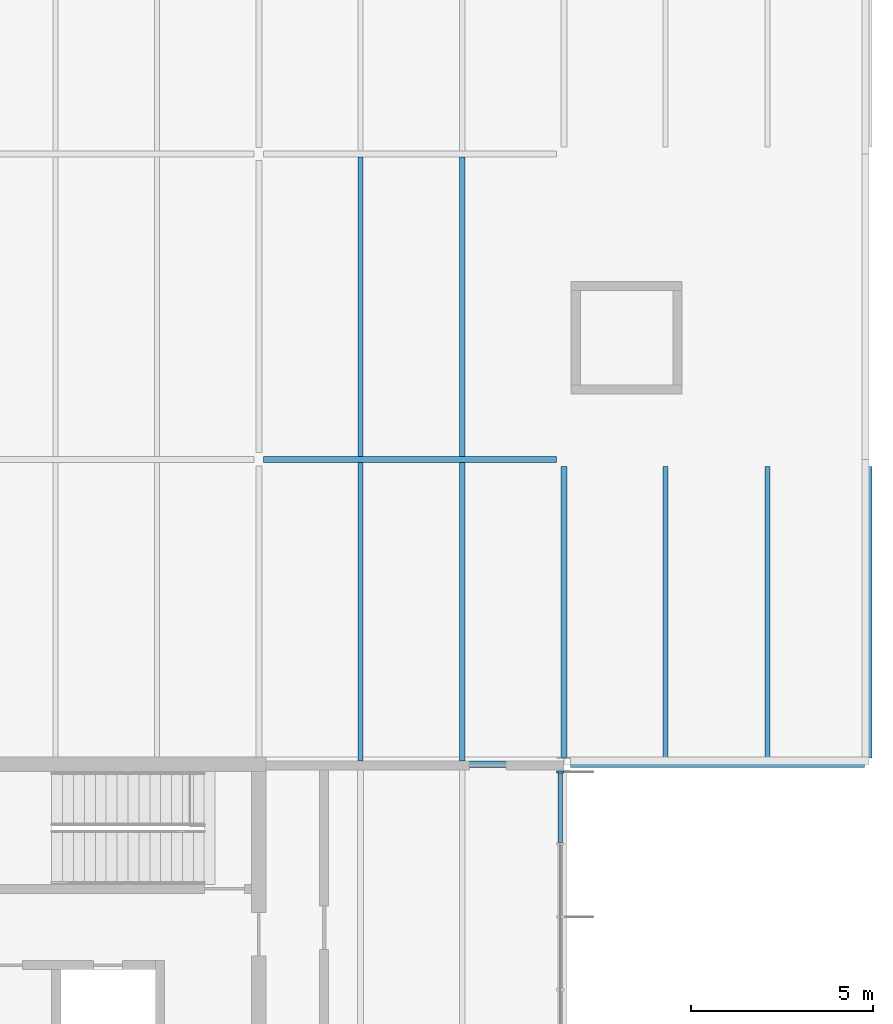
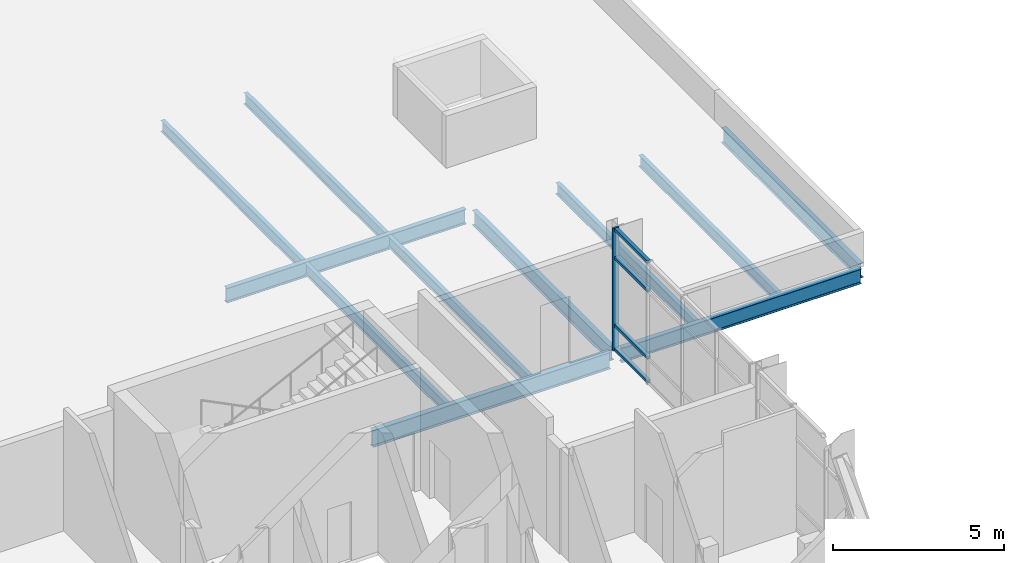
# One storey, part 10 of 26: 11 beams, 5 members, 1 element without a shape of its own.
"""IFC4 building model written with IfcOpenShell, lengths in metres."""

from ifc_helpers import new_model, si_unit, direction, frame, origin, origin_2d, place, context, subcontext, project, spatial, rectangle, i_section, extrude, material, material_profile, profile_set, type_object, element, aggregate, save


model = new_model("IFC4")

# Units and contexts
model_context = context("Model", 3, precision=1e-05, world=origin(), true_north=direction((0.0, 1.0)))
body_context = subcontext(model_context, "Body", "Model", "MODEL_VIEW")
ifc_project = project(units=[si_unit("LENGTHUNIT", "METRE"), si_unit("AREAUNIT", "SQUARE_METRE"), si_unit("VOLUMEUNIT", "CUBIC_METRE"), si_unit("PLANEANGLEUNIT", "RADIAN"), si_unit("MASSUNIT", "GRAM", prefix="KILO")], contexts=[model_context])

# Site, building, storey
site_placement = place(None, origin())
site = spatial("IfcSite", under=ifc_project, at=site_placement, CompositionType="ELEMENT")
building_placement = place(site_placement, origin())
building = spatial("IfcBuilding", under=site, at=building_placement, Name="Hlaing Beacon Police Headquarters", CompositionType="ELEMENT")
storey_placement = place(building_placement, frame((0.0, 0.0, 23.39990234375)))
storey = spatial("IfcBuildingStorey", under=building, at=storey_placement, Name="L05", CompositionType="ELEMENT", Elevation=23.39990234375)

# Beams
ifc_material_1 = material(Name="Steel ASTM A992 Grade 50", Category="steel")
ifc_material_profile_1 = material_profile(ifc_material_1, i_section(OverallWidth=0.1650390625, OverallDepth=0.52587890625, WebThickness=0.0087890625, FlangeThickness=0.011474609375, FilletRadius=0.0126953125, at=origin_2d()), Name="W21x44")
ifc_profile_set_1 = profile_set([ifc_material_profile_1], Name="Steel ASTM A992 Grade 50")
beam_type_1 = type_object("IfcBeamType", Name="Girder W21x44", PredefinedType="BEAM", material=ifc_profile_set_1)
beam_1_placement = place(storey_placement, frame((126.18701171875, 67.199951171875, -0.392822265625), z_axis=(1.0, 0.0, 0.0), x_axis=(0.0, 1.0, 0.0)))
element("IfcBeam", 1, at=beam_1_placement, inside=storey, type_object=beam_type_1, Name="STR-BM-L05-GX-R9-S9", PredefinedType="BEAM", context=body_context, shape_type="SweptSolid", body=[
    extrude(i_section(OverallWidth=0.1650390625, OverallDepth=0.52587890625, WebThickness=0.0087890625, FlangeThickness=0.011474609375, FilletRadius=0.0126953125, at=origin_2d()), origin(), (0.0, 0.0, 1.0), 8.0859375),
])
beam_2_placement = place(storey_placement, frame((117.72802734375, 75.60009765625, -0.392822265625), z_axis=(1.0, 0.0, 0.0), x_axis=(0.0, 1.0, 0.0)))
element("IfcBeam", 2, at=beam_2_placement, inside=storey, type_object=beam_type_1, Name="STR-BM-L05-GX-Q10-R10", PredefinedType="BEAM", context=body_context, shape_type="SweptSolid", body=[
    extrude(i_section(OverallWidth=0.1650390625, OverallDepth=0.52587890625, WebThickness=0.0087890625, FlangeThickness=0.011474609375, FilletRadius=0.0126953125, at=origin_2d()), origin(), (0.0, 0.0, 1.0), 8.072021484375),
])
beam_3_placement = place(storey_placement, frame((126.0, 67.384033203125, -0.392822265625), z_axis=(0.0, 1.0, 0.0), x_axis=(-1.0, 0.0, 0.0)))
element("IfcBeam", 3, at=beam_3_placement, inside=storey, type_object=beam_type_1, Name="STR-BM-L05-GY-R9-R10", PredefinedType="BEAM", context=body_context, shape_type="SweptSolid", body=[
    extrude(i_section(OverallWidth=0.1650390625, OverallDepth=0.52587890625, WebThickness=0.0087890625, FlangeThickness=0.011474609375, FilletRadius=0.0126953125, at=origin_2d()), origin(), (0.0, 0.0, 1.0), 8.015869140625),
])
beam_4_placement = place(storey_placement, frame((134.39990234375, 67.376953125, -0.392822265625), z_axis=(0.0, 1.0, 0.0), x_axis=(-1.0, 0.0, 0.0)))
element("IfcBeam", 4, at=beam_4_placement, inside=storey, type_object=beam_type_1, Name="STR-BM-L05-GY-S9-S10", PredefinedType="BEAM", context=body_context, shape_type="SweptSolid", body=[
    extrude(i_section(OverallWidth=0.1650390625, OverallDepth=0.52587890625, WebThickness=0.0087890625, FlangeThickness=0.011474609375, FilletRadius=0.0126953125, at=origin_2d()), origin(), (0.0, 0.0, 1.0), 8.02294921875),
])
ifc_material_2 = material(Name="Steel ASTM A992 Grade 50", Category="steel")
ifc_material_profile_2 = material_profile(ifc_material_2, i_section(OverallWidth=0.177978515625, OverallDepth=0.599365234375, WebThickness=0.010009765625, FlangeThickness=0.012939453125, FilletRadius=0.012939453125, at=origin_2d()), Name="W24x55")
ifc_profile_set_2 = profile_set([ifc_material_profile_2], Name="Steel ASTM A992 Grade 50")
beam_type_2 = type_object("IfcBeamType", Name="Girder W24x55", PredefinedType="BEAM", material=ifc_profile_set_2)
beam_5_placement = place(storey_placement, frame((117.800048828125, 67.199951171875, -0.4296875), z_axis=(1.0, 0.0, 0.0), x_axis=(0.0, 1.0, 0.0)))
element("IfcBeam", 5, at=beam_5_placement, inside=storey, type_object=beam_type_2, Name="STR-BM-L05-GX-Q9-R9", PredefinedType="BEAM", context=body_context, shape_type="SweptSolid", body=[
    extrude(i_section(OverallWidth=0.177978515625, OverallDepth=0.599365234375, WebThickness=0.010009765625, FlangeThickness=0.012939453125, FilletRadius=0.012939453125, at=origin_2d()), origin(), (0.0, 0.0, 1.0), 8.012939453125),
])

# Curtain wall, member
ifc_material_3 = material(Name="Aluminium frame with solar control glazing", Category="aluminium")
curtain_wall_type = type_object("IfcCurtainWallType", Name="Unitised curtain wall 8.03 x 4.37", PredefinedType="NOTDEFINED", material=ifc_material_3)
curtain_wall_placement = place(storey_placement, origin())
curtain_wall = element("IfcCurtainWall", 6, at=curtain_wall_placement, inside=storey, type_object=curtain_wall_type, Name="ENV-CW-L05-E004", PredefinedType="NOTDEFINED")
ifc_material_4 = material(Name="Aluminium", Category="aluminium")
ifc_material_profile_3 = material_profile(ifc_material_4, rectangle(XDim=0.199951171875, YDim=0.06005859375, at=origin_2d()), Name="Mullion 60x200")
ifc_profile_set_3 = profile_set([ifc_material_profile_3], Name="Aluminium")
member_type_1 = type_object("IfcMemberType", Name="Mullion 60x200", PredefinedType="MULLION", material=ifc_profile_set_3)
member_1_placement = place(storey_placement, frame((125.89990234375, 66.98828125, 0.0), z_axis=(0.0, 0.0, 1.0), x_axis=(-1.0, 0.0, 0.0)))
member_1 = element("IfcMember", 7, at=member_1_placement, type_object=member_type_1, Name="CW-L05-E004 mullion 5", PredefinedType="MULLION", context=body_context, shape_type="SweptSolid", body=[
    extrude(rectangle(XDim=0.199951171875, YDim=0.06005859375, at=origin_2d()), origin(), (0.0, 0.0, 1.0), 4.3701171875),
])

# Beams
ifc_material_5 = material(Name="Steel ASTM A992 Grade 50", Category="steel")
ifc_material_profile_4 = material_profile(ifc_material_5, i_section(OverallWidth=0.1396484375, OverallDepth=0.398681640625, WebThickness=0.00634765625, FlangeThickness=0.0087890625, FilletRadius=0.01025390625, at=origin_2d()), Name="W16x26")
ifc_profile_set_4 = profile_set([ifc_material_profile_4], Name="Steel ASTM A992 Grade 50")
beam_type_3 = type_object("IfcBeamType", Name="Secondary beam W16x26", PredefinedType="BEAM", material=ifc_profile_set_4)
for number, where, z_axis, x_axis, name in (
    (8, (120.39990234375, 67.2890625, -0.329345703125), (0.0, 1.0, 0.0), (-1.0, 0.0, 0.0), "STR-BM-L05-SB-Q9-y1"),
    (9, (123.199951171875, 67.2890625, -0.329345703125), (0.0, 1.0, 0.0), (-1.0, 0.0, 0.0), "STR-BM-L05-SB-Q9-y2"),
):
    element("IfcBeam", number, at=place(storey_placement, frame(where, z_axis=z_axis, x_axis=x_axis)), inside=storey, type_object=beam_type_3, Name=name, PredefinedType="BEAM", context=body_context, shape_type="SweptSolid", body=[
        extrude(i_section(OverallWidth=0.1396484375, OverallDepth=0.398681640625, WebThickness=0.00634765625, FlangeThickness=0.0087890625, FilletRadius=0.01025390625, at=origin_2d()), origin(), (0.0, 0.0, 1.0), 8.22802734375),
    ])
for number, where, z_axis, x_axis, name in (
    (10, (120.39990234375, 75.68310546875, -0.329345703125), (0.0, 1.0, 0.0), (-1.0, 0.0, 0.0), "STR-BM-L05-SB-Q10-y1"),
    (11, (123.199951171875, 75.68310546875, -0.329345703125), (0.0, 1.0, 0.0), (-1.0, 0.0, 0.0), "STR-BM-L05-SB-Q10-y2"),
):
    element("IfcBeam", number, at=place(storey_placement, frame(where, z_axis=z_axis, x_axis=x_axis)), inside=storey, type_object=beam_type_3, Name=name, PredefinedType="BEAM", context=body_context, shape_type="SweptSolid", body=[
        extrude(i_section(OverallWidth=0.1396484375, OverallDepth=0.398681640625, WebThickness=0.00634765625, FlangeThickness=0.0087890625, FilletRadius=0.01025390625, at=origin_2d()), origin(), (0.0, 0.0, 1.0), 8.23388671875),
    ])
for number, where, z_axis, x_axis, name in (
    (12, (128.800048828125, 67.282958984375, -0.329345703125), (0.0, 1.0, 0.0), (-1.0, 0.0, 0.0), "STR-BM-L05-SB-R9-y1"),
    (13, (131.60009765625, 67.282958984375, -0.329345703125), (0.0, 1.0, 0.0), (-1.0, 0.0, 0.0), "STR-BM-L05-SB-R9-y2"),
):
    element("IfcBeam", number, at=place(storey_placement, frame(where, z_axis=z_axis, x_axis=x_axis)), inside=storey, type_object=beam_type_3, Name=name, PredefinedType="BEAM", context=body_context, shape_type="SweptSolid", body=[
        extrude(i_section(OverallWidth=0.1396484375, OverallDepth=0.398681640625, WebThickness=0.00634765625, FlangeThickness=0.0087890625, FilletRadius=0.01025390625, at=origin_2d()), origin(), (0.0, 0.0, 1.0), 8.116943359375),
    ])

# Member
ifc_material_6 = material(Name="Aluminium", Category="aluminium")
ifc_material_profile_5 = material_profile(ifc_material_6, rectangle(XDim=0.1201171875, YDim=0.10009765625, at=origin_2d()), Name="Transom 120x100")
ifc_profile_set_5 = profile_set([ifc_material_profile_5], Name="Aluminium")
member_type_2 = type_object("IfcMemberType", Name="Transom 120x100", PredefinedType="USERDEFINED", material=ifc_profile_set_5)
member_2_placement = place(storey_placement, frame((125.89990234375, 65.04052734375, 0.050048828125), z_axis=(0.0, 1.0, 0.0), x_axis=(-1.0, 0.0, 0.0)))
member_2 = element("IfcMember", 14, at=member_2_placement, type_object=member_type_2, Name="CW-L05-E004 transom 4.1", ObjectType="TRANSOM", PredefinedType="USERDEFINED", context=body_context, shape_type="SweptSolid", body=[
    extrude(rectangle(XDim=0.1201171875, YDim=0.10009765625, at=origin_2d()), origin(), (0.0, 0.0, 1.0), 1.91796875),
])

member_3_placement = place(storey_placement, frame((125.89990234375, 65.04052734375, 0.900146484375), z_axis=(0.0, 1.0, 0.0), x_axis=(-1.0, 0.0, 0.0)))
member_3 = element("IfcMember", 15, at=member_3_placement, type_object=member_type_2, Name="CW-L05-E004 transom 4.2", ObjectType="TRANSOM", PredefinedType="USERDEFINED", context=body_context, shape_type="SweptSolid", body=[
    extrude(rectangle(XDim=0.1201171875, YDim=0.10009765625, at=origin_2d()), origin(), (0.0, 0.0, 1.0), 1.91796875),
])

member_4_placement = place(storey_placement, frame((125.89990234375, 65.04052734375, 3.300048828125), z_axis=(0.0, 1.0, 0.0), x_axis=(-1.0, 0.0, 0.0)))
member_4 = element("IfcMember", 16, at=member_4_placement, type_object=member_type_2, Name="CW-L05-E004 transom 4.3", ObjectType="TRANSOM", PredefinedType="USERDEFINED", context=body_context, shape_type="SweptSolid", body=[
    extrude(rectangle(XDim=0.1201171875, YDim=0.10009765625, at=origin_2d()), origin(), (0.0, 0.0, 1.0), 1.91796875),
])

member_5_placement = place(storey_placement, frame((125.89990234375, 65.04052734375, 4.320068359375), z_axis=(0.0, 1.0, 0.0), x_axis=(-1.0, 0.0, 0.0)))
member_5 = element("IfcMember", 17, at=member_5_placement, type_object=member_type_2, Name="CW-L05-E004 transom 4.4", ObjectType="TRANSOM", PredefinedType="USERDEFINED", context=body_context, shape_type="SweptSolid", body=[
    extrude(rectangle(XDim=0.1201171875, YDim=0.10009765625, at=origin_2d()), origin(), (0.0, 0.0, 1.0), 1.91796875),
])

aggregate(curtain_wall, [member_1, member_2, member_3, member_4, member_5])

save(model, "model.ifc")
